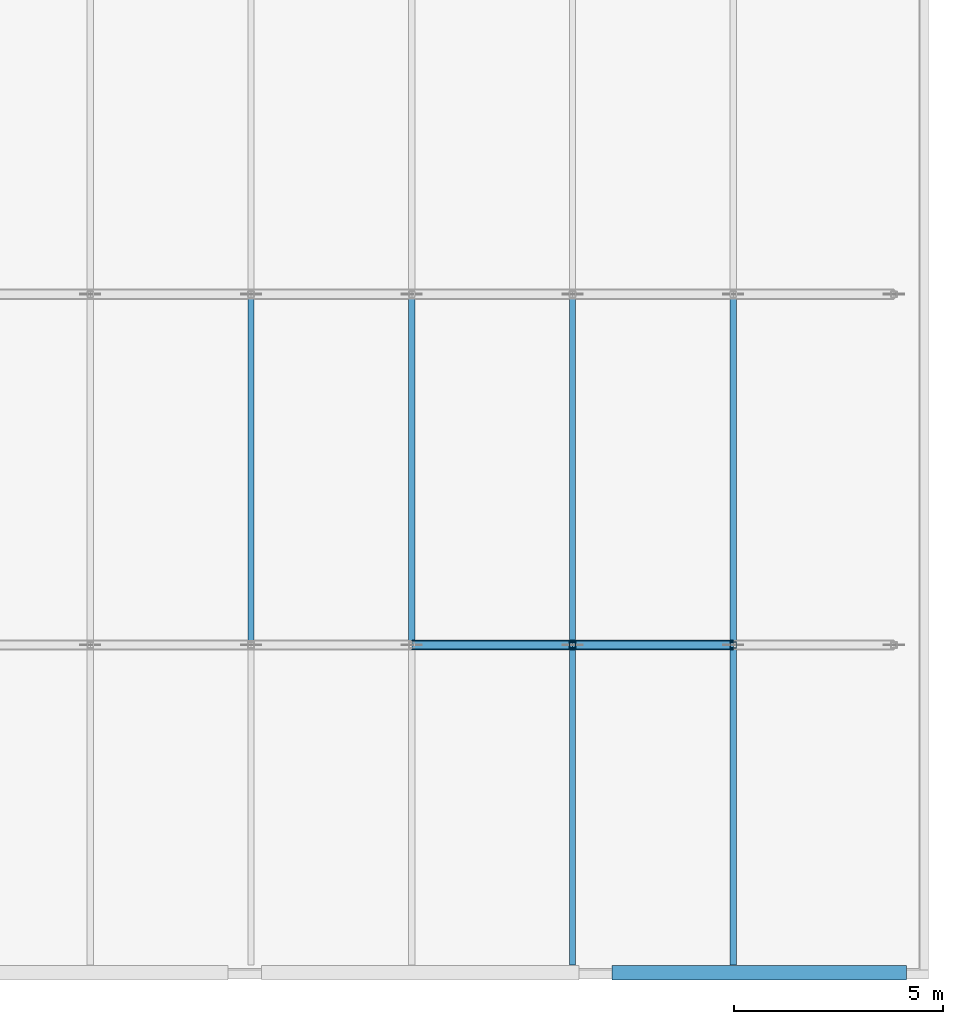
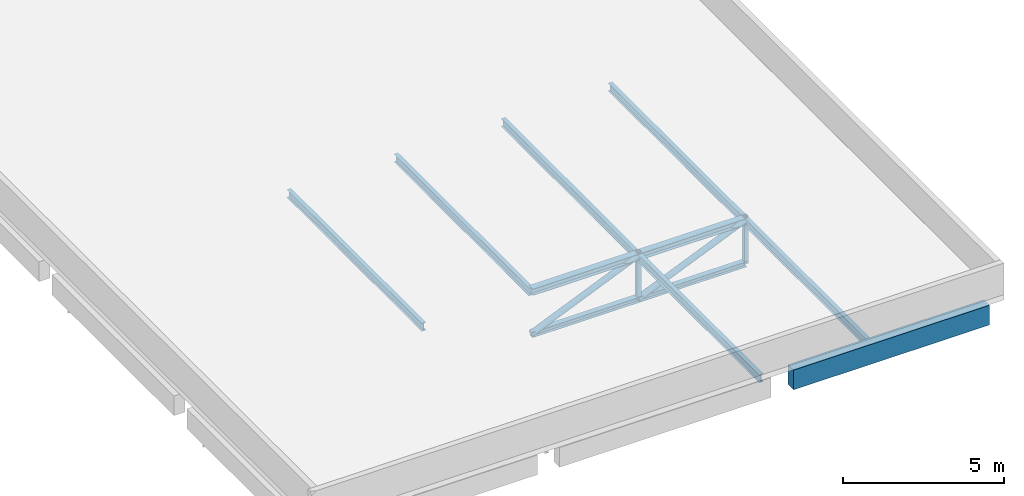
# One storey, part 15 of 38: 14 members, 1 beam.
"""IFC4 building model written with IfcOpenShell, lengths in metres."""

from ifc_helpers import new_model, si_unit, direction, frame, origin, origin_2d, place, context, subcontext, project, spatial, rectangle, hollow_rectangle, hollow_circle, i_section, extrude, material, material_profile, profile_set, type_object, element, save


model = new_model("IFC4")

# Units and contexts
model_context = context("Model", 3, precision=1e-05, world=origin(), true_north=direction((0.0, 1.0)))
body_context = subcontext(model_context, "Body", "Model", "MODEL_VIEW")
ifc_project = project(units=[si_unit("LENGTHUNIT", "METRE"), si_unit("AREAUNIT", "SQUARE_METRE"), si_unit("VOLUMEUNIT", "CUBIC_METRE"), si_unit("PLANEANGLEUNIT", "RADIAN"), si_unit("MASSUNIT", "GRAM", prefix="KILO")], contexts=[model_context])

# Site, building, storey
site_placement = place(None, origin())
site = spatial("IfcSite", under=ifc_project, at=site_placement, CompositionType="ELEMENT")
building_placement = place(site_placement, origin())
building = spatial("IfcBuilding", under=site, at=building_placement, Name="Brinegate Botanical Conservatory", CompositionType="ELEMENT")
storey_placement = place(building_placement, frame((0.0, 0.0, 10.199951171875)))
storey = spatial("IfcBuildingStorey", under=building, at=storey_placement, Name="L03", CompositionType="ELEMENT", Elevation=10.199951171875)

# Beam
ifc_material_1 = material(Name="Concrete C40/50", Category="concrete")
ifc_material_profile_1 = material_profile(ifc_material_1, rectangle(XDim=0.35009765625, YDim=0.75, at=origin_2d()), Name="RC SPN 350x750")
ifc_profile_set_1 = profile_set([ifc_material_profile_1], Name="Concrete C40/50")
beam_type = type_object("IfcBeamType", Name="Beam_SP-01", PredefinedType="SPANDREL", material=ifc_profile_set_1)
beam_placement = place(storey_placement, frame((156.0, 0.550048828125, -0.574951171875), z_axis=(1.0, 0.0, 0.0), x_axis=(0.0, 1.0, 0.0)))
element("IfcBeam", 1, at=beam_placement, inside=storey, type_object=beam_type, Name="Beam SP-01 L03 A:20-21", PredefinedType="SPANDREL", context=body_context, shape_type="SweptSolid", body=[
    extrude(rectangle(XDim=0.35009765625, YDim=0.75, at=origin_2d()), origin(), (0.0, 0.0, 1.0), 7.050048828125),
])

# Members
ifc_material_2 = material(Name="Structural steel Q355B / S355", Category="steel")
ifc_material_profile_2 = material_profile(ifc_material_2, hollow_circle(Radius=0.109619140625, WallThickness=0.010009765625, at=origin_2d()), Name="CHS 219x10")
ifc_profile_set_2 = profile_set([ifc_material_profile_2], Name="Structural steel Q355B / S355")
member_type_1 = type_object("IfcMemberType", Name="Member_TB-01", PredefinedType="BRACE", material=ifc_profile_set_2)
member_1_placement = place(storey_placement, frame((151.199951171875, 8.39990234375, -2.0), z_axis=(0.919999828954, 0.0, 0.391918760362), x_axis=(0.0, 1.0, 0.0)))
element("IfcMember", 2, at=member_1_placement, inside=storey, type_object=member_type_1, Name="Auditorium roof truss 1 web diagonal 4", PredefinedType="BRACE", context=body_context, shape_type="SweptSolid", body=[
    extrude(hollow_circle(Radius=0.109619140625, WallThickness=0.010009765625, at=origin_2d()), origin(), (0.0, 0.0, 1.0), 4.184814453125),
])
member_2_placement = place(storey_placement, frame((155.050048828125, 8.39990234375, -2.0), z_axis=(0.919990867405, 0.0, 0.39193979626), x_axis=(0.0, 1.0, 0.0)))
element("IfcMember", 3, at=member_2_placement, inside=storey, type_object=member_type_1, Name="Auditorium roof truss 1 web diagonal 5", PredefinedType="BRACE", context=body_context, shape_type="SweptSolid", body=[
    extrude(hollow_circle(Radius=0.109619140625, WallThickness=0.010009765625, at=origin_2d()), origin(), (0.0, 0.0, 1.0), 4.1845703125),
])
ifc_material_profile_3 = material_profile(ifc_material_2, i_section(OverallWidth=0.25, OverallDepth=0.25, WebThickness=0.009033203125, FlangeThickness=0.013916015625, at=origin_2d()), Name="HW 250x250x9x14")
ifc_profile_set_3 = profile_set([ifc_material_profile_3], Name="Structural steel Q355B / S355")
member_type_2 = type_object("IfcMemberType", Name="Member_TC-01", PredefinedType="CHORD", material=ifc_profile_set_3)
member_3_placement = place(storey_placement, frame((151.199951171875, 8.39990234375, -0.35986328125), z_axis=(1.0, 0.0, 0.0), x_axis=(0.0, 1.0, 0.0)))
element("IfcMember", 4, at=member_3_placement, inside=storey, type_object=member_type_2, Name="Auditorium roof truss 1 top chord 4", PredefinedType="CHORD", context=body_context, shape_type="SweptSolid", body=[
    extrude(i_section(OverallWidth=0.25, OverallDepth=0.25, WebThickness=0.009033203125, FlangeThickness=0.013916015625, at=origin_2d()), origin(), (0.0, 0.0, 1.0), 3.85009765625),
])
member_4_placement = place(storey_placement, frame((155.050048828125, 8.39990234375, -0.35986328125), z_axis=(1.0, 0.0, 0.0), x_axis=(0.0, 1.0, 0.0)))
element("IfcMember", 5, at=member_4_placement, inside=storey, type_object=member_type_2, Name="Auditorium roof truss 1 top chord 5", PredefinedType="CHORD", context=body_context, shape_type="SweptSolid", body=[
    extrude(i_section(OverallWidth=0.25, OverallDepth=0.25, WebThickness=0.009033203125, FlangeThickness=0.013916015625, at=origin_2d()), origin(), (0.0, 0.0, 1.0), 3.849853515625),
])
ifc_material_profile_4 = material_profile(ifc_material_2, i_section(OverallWidth=0.199951171875, OverallDepth=0.199951171875, WebThickness=0.008056640625, FlangeThickness=0.011962890625, at=origin_2d()), Name="HW 200x200x8x12")
ifc_profile_set_4 = profile_set([ifc_material_profile_4], Name="Structural steel Q355B / S355")
member_type_3 = type_object("IfcMemberType", Name="Member_TC-02", PredefinedType="CHORD", material=ifc_profile_set_4)
member_5_placement = place(storey_placement, frame((151.199951171875, 8.39990234375, -2.0), z_axis=(1.0, 0.0, 0.0), x_axis=(0.0, 1.0, 0.0)))
element("IfcMember", 6, at=member_5_placement, inside=storey, type_object=member_type_3, Name="Auditorium roof truss 1 bottom chord 4", PredefinedType="CHORD", context=body_context, shape_type="SweptSolid", body=[
    extrude(i_section(OverallWidth=0.199951171875, OverallDepth=0.199951171875, WebThickness=0.008056640625, FlangeThickness=0.011962890625, at=origin_2d()), origin(), (0.0, 0.0, 1.0), 3.85009765625),
])
member_6_placement = place(storey_placement, frame((155.050048828125, 8.39990234375, -2.0), z_axis=(1.0, 0.0, 0.0), x_axis=(0.0, 1.0, 0.0)))
element("IfcMember", 7, at=member_6_placement, inside=storey, type_object=member_type_3, Name="Auditorium roof truss 1 bottom chord 5", PredefinedType="CHORD", context=body_context, shape_type="SweptSolid", body=[
    extrude(i_section(OverallWidth=0.199951171875, OverallDepth=0.199951171875, WebThickness=0.008056640625, FlangeThickness=0.011962890625, at=origin_2d()), origin(), (0.0, 0.0, 1.0), 3.849853515625),
])
ifc_material_profile_5 = material_profile(ifc_material_2, i_section(OverallWidth=0.14990234375, OverallDepth=0.300048828125, WebThickness=0.006591796875, FlangeThickness=0.009033203125, at=origin_2d()), Name="HN 300x150x6.5x9")
ifc_profile_set_5 = profile_set([ifc_material_profile_5], Name="Structural steel Q355B / S355")
member_type_4 = type_object("IfcMemberType", Name="Member_TP-01", PredefinedType="PURLIN", material=ifc_profile_set_5)
for number, where, z_axis, x_axis, name in (
    (8, (147.35009765625, 8.39990234375, -0.389892578125), (0.0, 1.0, 0.0), (-1.0, 0.0, 0.0), "Auditorium roof purlin TP-01 2.1"),
    (9, (151.199951171875, 8.39990234375, -0.389892578125), (0.0, 1.0, 0.0), (-1.0, 0.0, 0.0), "Auditorium roof purlin TP-01 3.1"),
    (10, (155.050048828125, 8.39990234375, -0.389892578125), (0.0, 1.0, 0.0), (-1.0, 0.0, 0.0), "Auditorium roof purlin TP-01 4.1"),
    (11, (158.89990234375, 8.39990234375, -0.389892578125), (0.0, 1.0, 0.0), (-1.0, 0.0, 0.0), "Auditorium roof purlin TP-01 5.1"),
):
    element("IfcMember", number, at=place(storey_placement, frame(where, z_axis=z_axis, x_axis=x_axis)), inside=storey, type_object=member_type_4, Name=name, PredefinedType="PURLIN", context=body_context, shape_type="SweptSolid", body=[
        extrude(i_section(OverallWidth=0.14990234375, OverallDepth=0.300048828125, WebThickness=0.006591796875, FlangeThickness=0.009033203125, at=origin_2d()), origin(), (0.0, 0.0, 1.0), 8.400146484375),
    ])
for number, where, z_axis, x_axis, name in (
    (12, (155.050048828125, 0.72998046875, -0.389892578125), (0.0, 1.0, 0.0), (-1.0, 0.0, 0.0), "Auditorium south stage roof purlin TP-01 4"),
    (13, (158.89990234375, 0.72998046875, -0.389892578125), (0.0, 1.0, 0.0), (-1.0, 0.0, 0.0), "Auditorium south stage roof purlin TP-01 5"),
):
    element("IfcMember", number, at=place(storey_placement, frame(where, z_axis=z_axis, x_axis=x_axis)), inside=storey, type_object=member_type_4, Name=name, PredefinedType="PURLIN", context=body_context, shape_type="SweptSolid", body=[
        extrude(i_section(OverallWidth=0.14990234375, OverallDepth=0.300048828125, WebThickness=0.006591796875, FlangeThickness=0.009033203125, at=origin_2d()), origin(), (0.0, 0.0, 1.0), 7.669921875),
    ])
ifc_material_profile_6 = material_profile(ifc_material_2, hollow_rectangle(XDim=0.14990234375, YDim=0.14990234375, WallThickness=0.008056640625, at=origin_2d()), Name="SHS 150x150x8")
ifc_profile_set_6 = profile_set([ifc_material_profile_6], Name="Structural steel Q355B / S355")
member_type_5 = type_object("IfcMemberType", Name="Member_TS-01", PredefinedType="STRUT", material=ifc_profile_set_6)
for number, where, z_axis, x_axis, name in (
    (14, (155.050048828125, 8.39990234375, -2.0), (0.0, 0.0, 1.0), (1.0, 0.0, 0.0), "Auditorium roof truss 1 vertical strut 5"),
    (15, (158.89990234375, 8.39990234375, -2.0), (0.0, 0.0, 1.0), (1.0, 0.0, 0.0), "Auditorium roof truss 1 vertical strut 6"),
):
    element("IfcMember", number, at=place(storey_placement, frame(where, z_axis=z_axis, x_axis=x_axis)), inside=storey, type_object=member_type_5, Name=name, PredefinedType="STRUT", context=body_context, shape_type="SweptSolid", body=[
        extrude(hollow_rectangle(XDim=0.14990234375, YDim=0.14990234375, WallThickness=0.008056640625, at=origin_2d()), origin(), (0.0, 0.0, 1.0), 1.800048828125),
    ])

save(model, "model.ifc")
